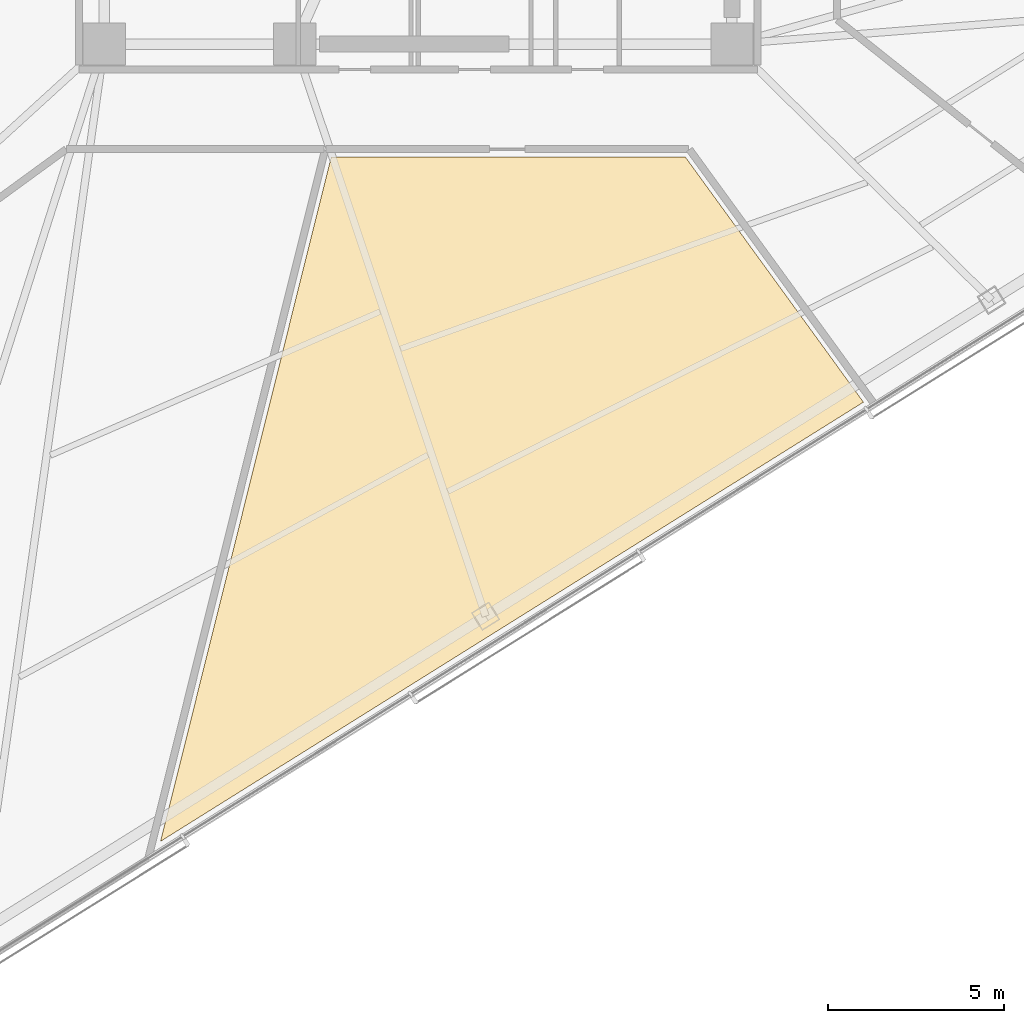
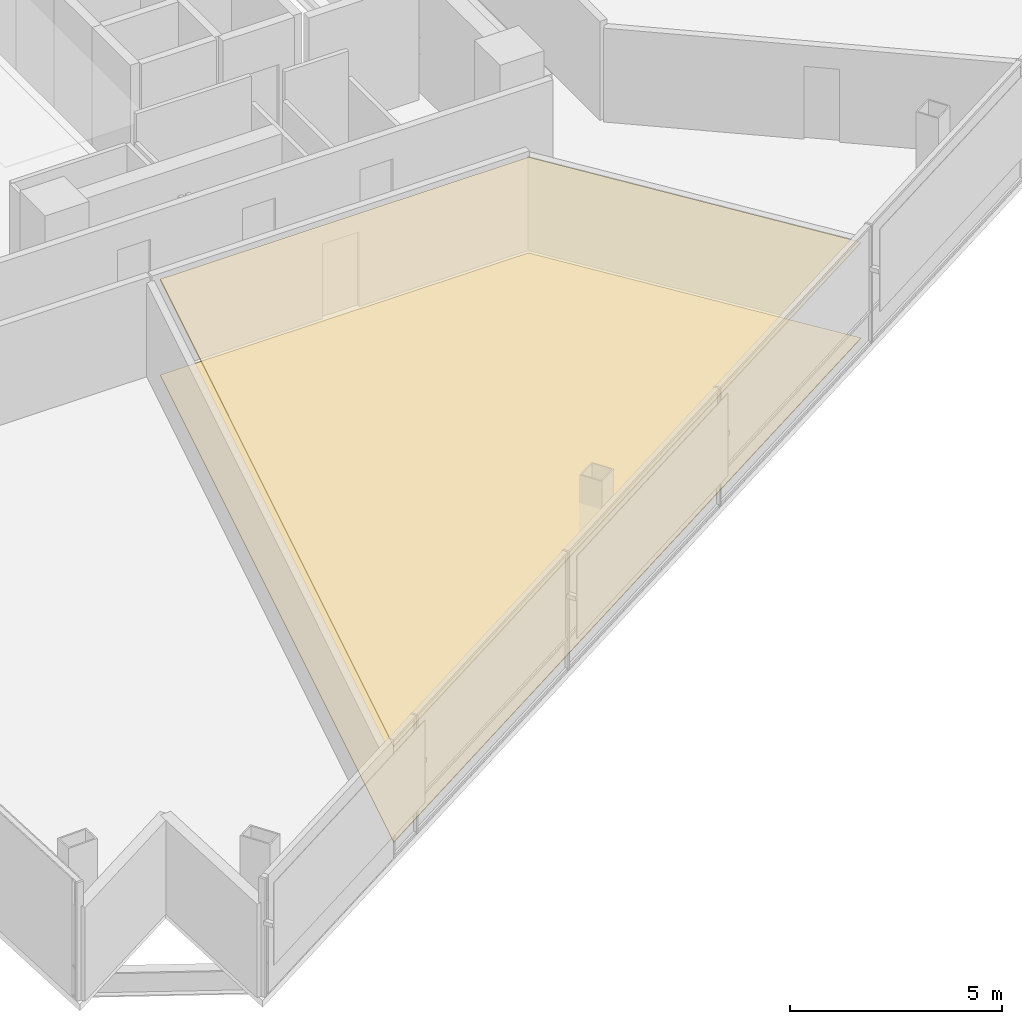
# One storey, part 17 of 21: 2 coverings.
"""IFC4 building model written with IfcOpenShell, lengths in metres."""

from ifc_helpers import new_model, si_unit, direction, frame, origin, place, context, subcontext, project, spatial, polyline, outline, extrude, material, layer, layer_set, type_object, element, save


model = new_model("IFC4")

# Units and contexts
model_context = context("Model", 3, precision=1e-05, world=origin(), true_north=direction((0.0, 1.0)))
body_context = subcontext(model_context, "Body", "Model", "MODEL_VIEW")
ifc_project = project(units=[si_unit("LENGTHUNIT", "METRE"), si_unit("AREAUNIT", "SQUARE_METRE"), si_unit("VOLUMEUNIT", "CUBIC_METRE"), si_unit("PLANEANGLEUNIT", "RADIAN"), si_unit("MASSUNIT", "GRAM", prefix="KILO")], contexts=[model_context])

# Site, building, storey
site_placement = place(None, origin())
site = spatial("IfcSite", under=ifc_project, at=site_placement, CompositionType="ELEMENT")
building_placement = place(site_placement, origin())
building = spatial("IfcBuilding", under=site, at=building_placement, Name="Tharavind Bronze Gate", CompositionType="ELEMENT")
storey_placement = place(building_placement, frame((0.0, 0.0, 142.39990234375)))
storey = spatial("IfcBuildingStorey", under=building, at=storey_placement, Name="L36", CompositionType="ELEMENT", Elevation=142.39990234375)

# Coverings
ifc_material_1 = material(Name="Engineered Oak & Carpet Tile", Category="wood")
ifc_layer_1 = layer(ifc_material_1, 0.02490234375)
ifc_layer_set_1 = layer_set([ifc_layer_1], Name="Engineered Oak & Carpet Tile")
covering_type_1 = type_object("IfcCoveringType", Name="ENGINEERED TIMBER FLOORING", PredefinedType="FLOORING", material=ifc_layer_set_1)
covering_1_placement = place(storey_placement, origin())
element("IfcCovering", 1, at=covering_1_placement, inside=storey, type_object=covering_type_1, Name="L36-RM-05 floor finish", PredefinedType="FLOORING", context=body_context, shape_type="SweptSolid", body=[
    extrude(outline(polyline([(12.62890625, -17.756591796875), (7.57470703125, -10.800048828125), (-2.466064453125, -10.800048828125), (-7.306396484375, -30.21337890625), (12.62890625, -17.756591796875)])), origin(), (0.0, 0.0, 1.0), 0.025146484375),
])
ifc_material_2 = material(Name="Acoustic Gypsum Board", Category="gypsum")
ifc_layer_2 = layer(ifc_material_2, 0.030029296875)
ifc_layer_set_2 = layer_set([ifc_layer_2], Name="Acoustic Gypsum Board")
covering_type_2 = type_object("IfcCoveringType", Name="GYPSUM SUSPENDED CEILING", PredefinedType="CEILING", material=ifc_layer_set_2)
covering_2_placement = place(storey_placement, frame((0.0, 0.0, 2.75)))
element("IfcCovering", 2, at=covering_2_placement, inside=storey, type_object=covering_type_2, Name="L36-RM-05 suspended ceiling", PredefinedType="CEILING", context=body_context, shape_type="SweptSolid", body=[
    extrude(outline(polyline([(12.62890625, -17.756591796875), (7.57470703125, -10.800048828125), (-2.466064453125, -10.800048828125), (-7.306396484375, -30.21337890625), (12.62890625, -17.756591796875)])), origin(), (0.0, 0.0, 1.0), 0.03515625),
])

save(model, "model.ifc")
